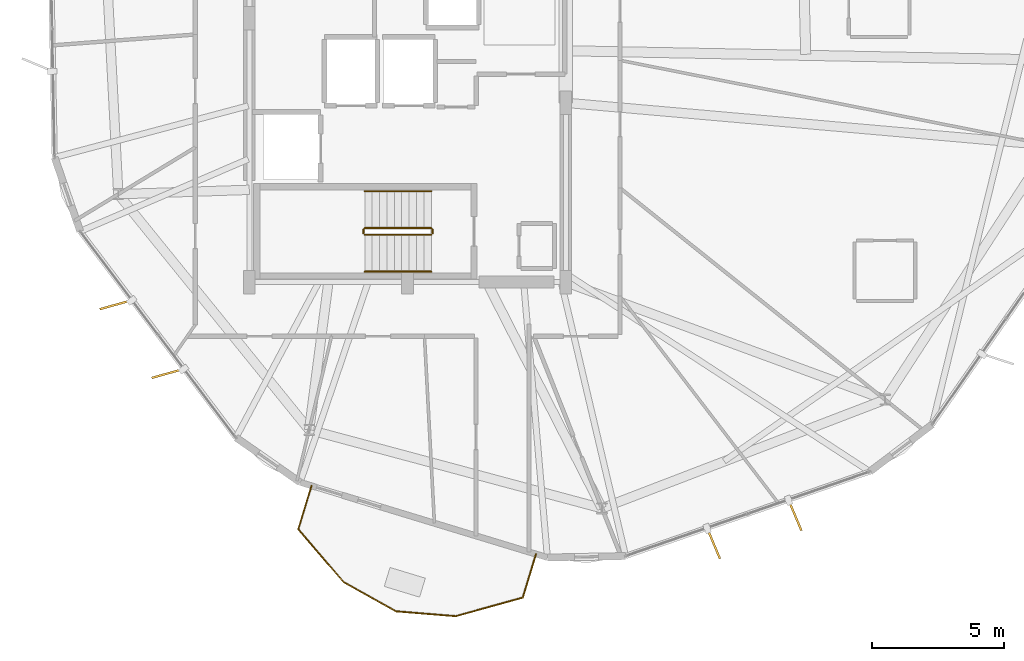
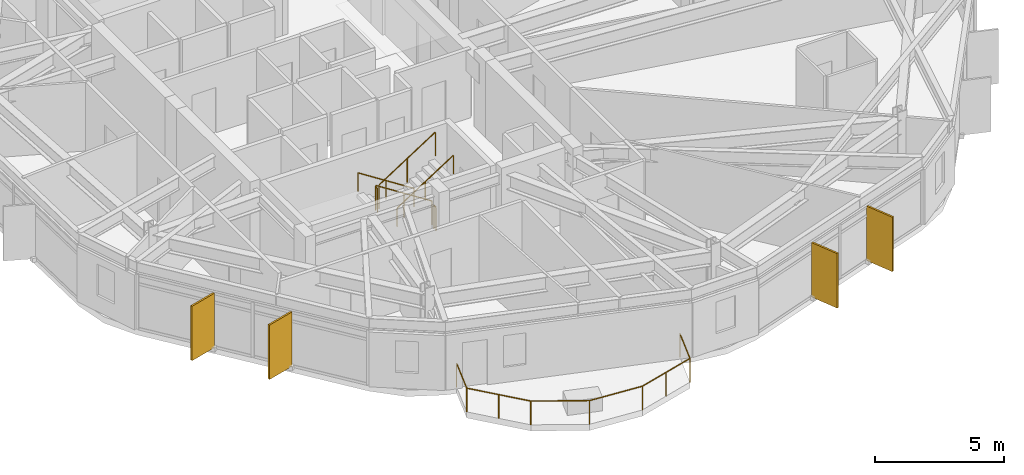
# One storey, part 32 of 34: 7 railings, 4 shading devices.
"""IFC4 building model written with IfcOpenShell, lengths in metres."""

from ifc_helpers import new_model, si_unit, direction, frame, origin, origin_2d, place, context, subcontext, project, spatial, rectangle, circle, extrude, material, layer, layer_set, type_object, element, save


model = new_model("IFC4")

# Units and contexts
model_context = context("Model", 3, precision=1e-05, world=origin(), true_north=direction((0.0, 1.0)))
body_context = subcontext(model_context, "Body", "Model", "MODEL_VIEW")
ifc_project = project(units=[si_unit("LENGTHUNIT", "METRE"), si_unit("AREAUNIT", "SQUARE_METRE"), si_unit("VOLUMEUNIT", "CUBIC_METRE"), si_unit("PLANEANGLEUNIT", "RADIAN"), si_unit("MASSUNIT", "GRAM", prefix="KILO")], contexts=[model_context])

# Site, building, storey
site_placement = place(None, origin())
site = spatial("IfcSite", under=ifc_project, at=site_placement, CompositionType="ELEMENT")
building_placement = place(site_placement, origin())
building = spatial("IfcBuilding", under=site, at=building_placement, Name="Soratama Intermodal Tower", CompositionType="ELEMENT")
storey_placement = place(building_placement, frame((0.0, 0.0, 233.800048828125)))
storey = spatial("IfcBuildingStorey", under=building, at=storey_placement, Name="L59", CompositionType="ELEMENT", Elevation=233.800048828125)

# Railings
ifc_material_1 = material(Name="Laminated glass and stainless steel balustrade", Category="steel")
railing_type_1 = type_object("IfcRailingType", Name="RL-BAL-1150", PredefinedType="BALUSTRADE", material=ifc_material_1)
railing_1_placement = place(storey_placement, frame((43.47119140625, 4.688720703125, 0.0)))
element("IfcRailing", 1, at=railing_1_placement, inside=storey, type_object=railing_type_1, Name="L59 Balcony Balustrade 3", PredefinedType="BALUSTRADE", context=body_context, shape_type="SweptSolid", body=[
    extrude(circle(Radius=0.02392578125, at=origin_2d()), frame((0.0, 0.0, 1.1259765625), z_axis=(-0.290952645463, -0.956737455156, 0.0), x_axis=(0.956737455156, -0.290952645463, 0.0)), (0.0, 0.0, 1.0), 1.72021484375),
    extrude(circle(Radius=0.02392578125, at=origin_2d()), frame((-0.50048828125, -1.645751953125, 1.1259765625), z_axis=(-0.96342232846, -0.267987718047, 0.0), x_axis=(0.267987718047, -0.96342232846, 0.0)), (0.0, 0.0, 1.0), 2.636474609375),
    extrude(circle(Radius=0.02392578125, at=origin_2d()), frame((-3.04052734375, -2.352294921875, 1.1259765625), z_axis=(-0.996742576046, 0.080648850569, 0.0), x_axis=(-0.080648850569, -0.996742576046, 0.0)), (0.0, 0.0, 1.0), 2.2763671875),
    extrude(circle(Radius=0.02392578125, at=origin_2d()), frame((-5.3095703125, -2.168701171875, 1.1259765625), z_axis=(-0.872772859059, 0.488126557862, 0.0), x_axis=(-0.488126557862, -0.872772859059, 0.0)), (0.0, 0.0, 1.0), 2.276611328125),
    extrude(circle(Radius=0.02392578125, at=origin_2d()), frame((-7.296630859375, -1.057373046875, 1.1259765625), z_axis=(-0.651004881242, 0.759073543604, 0.0), x_axis=(-0.759073543604, -0.651004881242, 0.0)), (0.0, 0.0, 1.0), 2.636474609375),
    extrude(circle(Radius=0.02392578125, at=origin_2d()), frame((-9.012939453125, 0.94384765625, 1.1259765625), z_axis=(0.290992158443, 0.956725438004, 0.0), x_axis=(-0.956725438004, 0.290992158443, 0.0)), (0.0, 0.0, 1.0), 1.719970703125),
    extrude(circle(Radius=0.02099609375, at=origin_2d()), origin(), (0.0, 0.0, 1.0), 1.101806640625),
    extrude(circle(Radius=0.02099609375, at=origin_2d()), frame((-0.50048828125, -1.645751953125, 0.0)), (0.0, 0.0, 1.0), 1.101806640625),
    extrude(circle(Radius=0.02099609375, at=origin_2d()), frame((-1.7705078125, -1.9990234375, 0.0)), (0.0, 0.0, 1.0), 1.101806640625),
    extrude(circle(Radius=0.02099609375, at=origin_2d()), frame((-3.04052734375, -2.352294921875, 0.0)), (0.0, 0.0, 1.0), 1.101806640625),
    extrude(circle(Radius=0.02099609375, at=origin_2d()), frame((-5.3095703125, -2.168701171875, 0.0)), (0.0, 0.0, 1.0), 1.101806640625),
    extrude(circle(Radius=0.02099609375, at=origin_2d()), frame((-7.296630859375, -1.057373046875, 0.0)), (0.0, 0.0, 1.0), 1.101806640625),
    extrude(circle(Radius=0.02099609375, at=origin_2d()), frame((-8.15478515625, -0.056640625, 0.0)), (0.0, 0.0, 1.0), 1.101806640625),
    extrude(circle(Radius=0.02099609375, at=origin_2d()), frame((-9.012939453125, 0.94384765625, 0.0)), (0.0, 0.0, 1.0), 1.101806640625),
    extrude(circle(Radius=0.02099609375, at=origin_2d()), frame((-8.512451171875, 2.58935546875, 0.0)), (0.0, 0.0, 1.0), 1.101806640625),
])
ifc_material_2 = material(Name="Painted steel stair guardrail", Category="steel")
railing_type_2 = type_object("IfcRailingType", Name="RL-STAIR-GUARD", PredefinedType="GUARDRAIL", material=ifc_material_2)
railing_2_placement = place(storey_placement, frame((39.5, 17.050048828125, 0.179931640625)))
element("IfcRailing", 2, at=railing_2_placement, inside=storey, type_object=railing_type_2, Name="L59 ST-1 stair guard 1", PredefinedType="GUARDRAIL", context=body_context, shape_type="SweptSolid", body=[
    extrude(circle(Radius=0.02392578125, at=origin_2d()), frame((0.0, 0.0, 1.1259765625), z_axis=(-0.841162588446, 0.0, 0.540782303519), x_axis=(0.0, -1.0, 0.0)), (0.0, 0.0, 1.0), 2.995849609375),
    extrude(circle(Radius=0.02099609375, at=origin_2d()), origin(), (0.0, 0.0, 1.0), 1.101806640625),
    extrude(circle(Radius=0.02099609375, at=origin_2d()), frame((-1.260009765625, 0.0, 0.81005859375)), (0.0, 0.0, 1.0), 1.101806640625),
    extrude(circle(Radius=0.02099609375, at=origin_2d()), frame((-2.52001953125, 0.0, 1.6201171875)), (0.0, 0.0, 1.0), 1.101806640625),
])
railing_3_placement = place(storey_placement, frame((36.929931640625, 17.0, 1.800048828125)))
element("IfcRailing", 3, at=railing_3_placement, inside=storey, type_object=railing_type_2, Name="L59 ST-1 stair guard 2", PredefinedType="GUARDRAIL", context=body_context, shape_type="SweptSolid", body=[
    extrude(circle(Radius=0.02392578125, at=origin_2d()), frame((0.0, 0.0, 1.1259765625), z_axis=(0.0, -1.0, 0.0), x_axis=(1.0, 0.0, 0.0)), (0.0, 0.0, 1.0), 0.14990234375),
    extrude(circle(Radius=0.02099609375, at=origin_2d()), origin(), (0.0, 0.0, 1.0), 1.101806640625),
    extrude(circle(Radius=0.02099609375, at=origin_2d()), frame((0.0, -0.14990234375, 0.0)), (0.0, 0.0, 1.0), 1.101806640625),
])
railing_4_placement = place(storey_placement, frame((36.97998046875, 16.800048828125, 1.97998046875)))
element("IfcRailing", 4, at=railing_4_placement, inside=storey, type_object=railing_type_2, Name="L59 ST-1 stair guard 3", PredefinedType="GUARDRAIL", context=body_context, shape_type="SweptSolid", body=[
    extrude(circle(Radius=0.02392578125, at=origin_2d()), frame((0.0, 0.0, 1.1259765625), z_axis=(0.841199657755, 0.0, 0.540724639528), x_axis=(0.0, 1.0, 0.0)), (0.0, 0.0, 1.0), 2.995849609375),
    extrude(circle(Radius=0.02099609375, at=origin_2d()), origin(), (0.0, 0.0, 1.0), 1.101806640625),
    extrude(circle(Radius=0.02099609375, at=origin_2d()), frame((1.260009765625, 0.0, 0.81005859375)), (0.0, 0.0, 1.0), 1.101806640625),
    extrude(circle(Radius=0.02099609375, at=origin_2d()), frame((2.52001953125, 0.0, 1.619873046875)), (0.0, 0.0, 1.0), 1.101806640625),
])
railing_5_placement = place(storey_placement, frame((39.550048828125, 17.0, 0.0)))
element("IfcRailing", 5, at=railing_5_placement, inside=storey, type_object=railing_type_2, Name="L59 ST-1 stair guard 4", PredefinedType="GUARDRAIL", context=body_context, shape_type="SweptSolid", body=[
    extrude(circle(Radius=0.02392578125, at=origin_2d()), frame((0.0, 0.0, 1.1259765625), z_axis=(0.0, -1.0, 0.0), x_axis=(1.0, 0.0, 0.0)), (0.0, 0.0, 1.0), 0.14990234375),
    extrude(circle(Radius=0.02099609375, at=origin_2d()), origin(), (0.0, 0.0, 1.0), 1.101806640625),
    extrude(circle(Radius=0.02099609375, at=origin_2d()), frame((0.0, -0.14990234375, 0.0)), (0.0, 0.0, 1.0), 1.101806640625),
])
ifc_material_3 = material(Name="Brushed stainless steel handrail", Category="steel")
railing_type_3 = type_object("IfcRailingType", Name="RL-STAIR-HAND", PredefinedType="HANDRAIL", material=ifc_material_3)
railing_6_placement = place(storey_placement, frame((39.5, 18.449951171875, 0.179931640625)))
element("IfcRailing", 6, at=railing_6_placement, inside=storey, type_object=railing_type_3, Name="L59 ST-1 stair handrail 1", PredefinedType="HANDRAIL", context=body_context, shape_type="SweptSolid", body=[
    extrude(circle(Radius=0.02392578125, at=origin_2d()), frame((0.0, 0.0, 0.8759765625), z_axis=(-0.841162588446, 0.0, 0.540782303519), x_axis=(0.0, -1.0, 0.0)), (0.0, 0.0, 1.0), 2.995849609375),
    extrude(circle(Radius=0.02099609375, at=origin_2d()), origin(), (0.0, 0.0, 1.0), 0.851806640625),
    extrude(circle(Radius=0.02099609375, at=origin_2d()), frame((-1.260009765625, 0.0, 0.81005859375)), (0.0, 0.0, 1.0), 0.851806640625),
    extrude(circle(Radius=0.02099609375, at=origin_2d()), frame((-2.52001953125, 0.0, 1.6201171875)), (0.0, 0.0, 1.0), 0.851806640625),
])
railing_7_placement = place(storey_placement, frame((36.97998046875, 15.39990234375, 1.97998046875)))
element("IfcRailing", 7, at=railing_7_placement, inside=storey, type_object=railing_type_3, Name="L59 ST-1 stair handrail 2", PredefinedType="HANDRAIL", context=body_context, shape_type="SweptSolid", body=[
    extrude(circle(Radius=0.02392578125, at=origin_2d()), frame((0.0, 0.0, 0.8759765625), z_axis=(0.841199657755, 0.0, 0.540724639528), x_axis=(0.0, 1.0, 0.0)), (0.0, 0.0, 1.0), 2.995849609375),
    extrude(circle(Radius=0.02099609375, at=origin_2d()), origin(), (0.0, 0.0, 1.0), 0.851806640625),
    extrude(circle(Radius=0.02099609375, at=origin_2d()), frame((1.260009765625, 0.0, 0.81005859375)), (0.0, 0.0, 1.0), 0.851806640625),
    extrude(circle(Radius=0.02099609375, at=origin_2d()), frame((2.52001953125, 0.0, 1.619873046875)), (0.0, 0.0, 1.0), 0.851806640625),
])

# Shading devices
ifc_material_4 = material(Name="Champagne anodised aluminium solar fin", Category="aluminium")
ifc_layer = layer(ifc_material_4, 0.080078125)
ifc_layer_set = layer_set([ifc_layer], Name="Champagne anodised aluminium solar fin")
shading_device_type = type_object("IfcShadingDeviceType", Name="SH-FIN-1250", PredefinedType="USERDEFINED", material=ifc_layer_set)
for number, where, z_axis, x_axis, name in (
    (8, (27.53662109375, 14.143798828125, 0.02001953125), (0.0, 0.0, 1.0), (-0.962691746426, -0.270600445976, 0.0), "L59 Solar Fin F05-1"),
    (9, (29.505859375, 11.538330078125, 0.02001953125), (0.0, 0.0, 1.0), (-0.962691746426, -0.270600445976, 0.0), "L59 Solar Fin F05-2"),
    (10, (50.20458984375, 5.086669921875, 0.02001953125), (0.0, 0.0, 1.0), (0.387998219728, -0.921660122544, 0.0), "L59 Solar Fin F07-1"),
    (11, (53.291015625, 6.154296875, 0.02001953125), (0.0, 0.0, 1.0), (0.387998219728, -0.921660122544, 0.0), "L59 Solar Fin F07-2"),
):
    element("IfcShadingDevice", number, at=place(storey_placement, frame(where, z_axis=z_axis, x_axis=x_axis)), inside=storey, type_object=shading_device_type, Name=name, ObjectType="FIN", PredefinedType="USERDEFINED", context=body_context, shape_type="SweptSolid", body=[
        extrude(rectangle(XDim=1.25, YDim=0.080078125, at=origin_2d()), origin(), (0.0, 0.0, 1.0), 2.5791015625),
    ])

save(model, "model.ifc")
